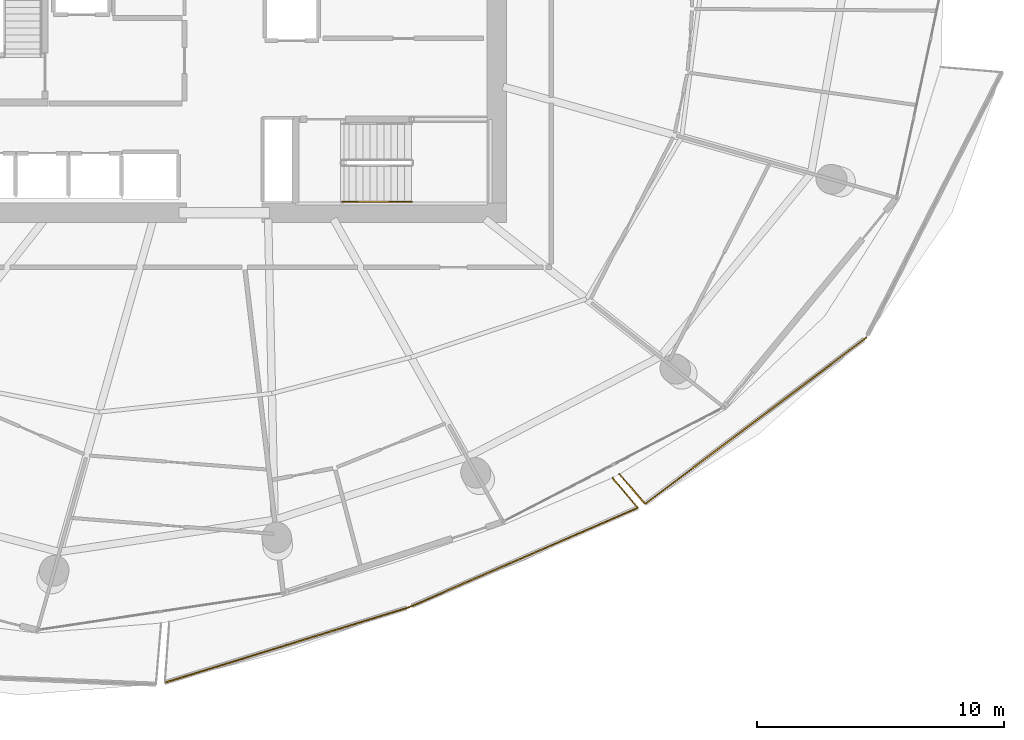
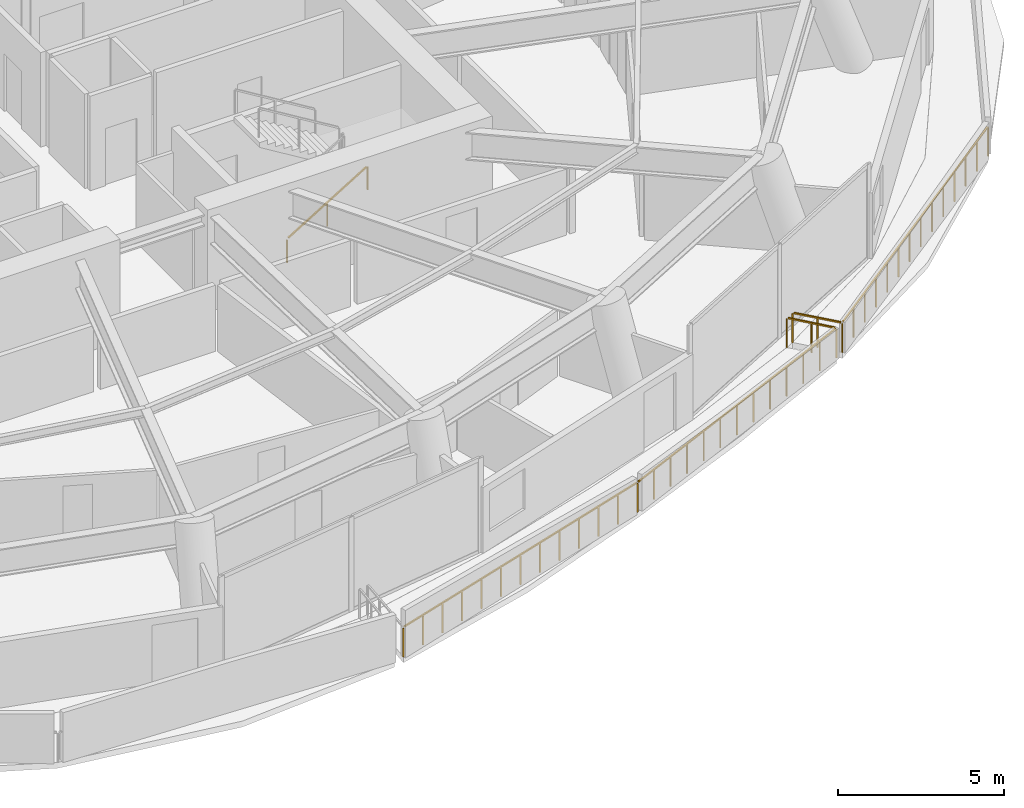
# One storey, part 19 of 23: 6 railings.
"""IFC4 building model written with IfcOpenShell, lengths in metres."""

from ifc_helpers import new_model, si_unit, direction, frame, origin, origin_2d, place, context, subcontext, project, spatial, rectangle, extrude, material, type_object, element, save


model = new_model("IFC4")

# Units and contexts
model_context = context("Model", 3, precision=1e-05, world=origin(), true_north=direction((0.0, 1.0)))
body_context = subcontext(model_context, "Body", "Model", "MODEL_VIEW")
ifc_project = project(units=[si_unit("LENGTHUNIT", "METRE"), si_unit("AREAUNIT", "SQUARE_METRE"), si_unit("VOLUMEUNIT", "CUBIC_METRE"), si_unit("PLANEANGLEUNIT", "RADIAN"), si_unit("MASSUNIT", "GRAM", prefix="KILO")], contexts=[model_context])

# Site, building, storey
site_placement = place(None, origin())
site = spatial("IfcSite", under=ifc_project, at=site_placement, CompositionType="ELEMENT")
building_placement = place(site_placement, origin())
building = spatial("IfcBuilding", under=site, at=building_placement, Name="Kazma Halo Residences", CompositionType="ELEMENT")
storey_placement = place(building_placement, frame((0.0, 0.0, 112.64990234375)))
storey = spatial("IfcBuildingStorey", under=building, at=storey_placement, Name="L28", CompositionType="ELEMENT", Elevation=112.64990234375)

# Railings
ifc_material_1 = material(Name="Aluminium AW-6063 T6 Brushed Cap Rail", Category="aluminium")
railing_type_1 = type_object("IfcRailingType", Name="RLG-BAL-CAP-1120", PredefinedType="BALUSTRADE", material=ifc_material_1)
railing_1_placement = place(storey_placement, frame((46.011474609375, 14.594482421875, 0.0)))
element("IfcRailing", 1, at=railing_1_placement, inside=storey, type_object=railing_type_1, Name="L28 SSE wave balcony guard 2", PredefinedType="BALUSTRADE", context=body_context, shape_type="SweptSolid", body=[
    extrude(rectangle(XDim=0.050048828125, YDim=0.050048828125, at=origin_2d()), frame((0.040771484375, 0.012451171875, 1.09521484375), z_axis=(0.955530555563, 0.294892111434, 0.0), x_axis=(-0.294892111434, 0.955530555563, 0.0)), (0.0, 0.0, 1.0), 10.276123046875),
    extrude(rectangle(XDim=0.0400390625, YDim=0.0400390625, at=origin_2d()), origin(), (0.0, 0.0, 1.0), 1.05810546875),
    extrude(rectangle(XDim=0.0400390625, YDim=0.0400390625, at=origin_2d()), frame((0.824951171875, 0.254638671875, 0.0)), (0.0, 0.0, 1.0), 1.05810546875),
    extrude(rectangle(XDim=0.0400390625, YDim=0.0400390625, at=origin_2d()), frame((1.650146484375, 0.50927734375, 0.0)), (0.0, 0.0, 1.0), 1.05810546875),
    extrude(rectangle(XDim=0.0400390625, YDim=0.0400390625, at=origin_2d()), frame((2.47509765625, 0.763916015625, 0.0)), (0.0, 0.0, 1.0), 1.05810546875),
    extrude(rectangle(XDim=0.0400390625, YDim=0.0400390625, at=origin_2d()), frame((3.300048828125, 1.0185546875, 0.0)), (0.0, 0.0, 1.0), 1.05810546875),
    extrude(rectangle(XDim=0.0400390625, YDim=0.0400390625, at=origin_2d()), frame((4.125244140625, 1.273193359375, 0.0)), (0.0, 0.0, 1.0), 1.05810546875),
    extrude(rectangle(XDim=0.0400390625, YDim=0.0400390625, at=origin_2d()), frame((4.9501953125, 1.52783203125, 0.0)), (0.0, 0.0, 1.0), 1.05810546875),
    extrude(rectangle(XDim=0.0400390625, YDim=0.0400390625, at=origin_2d()), frame((5.775146484375, 1.7822265625, 0.0)), (0.0, 0.0, 1.0), 1.05810546875),
    extrude(rectangle(XDim=0.0400390625, YDim=0.0400390625, at=origin_2d()), frame((6.600341796875, 2.036865234375, 0.0)), (0.0, 0.0, 1.0), 1.05810546875),
    extrude(rectangle(XDim=0.0400390625, YDim=0.0400390625, at=origin_2d()), frame((7.42529296875, 2.29150390625, 0.0)), (0.0, 0.0, 1.0), 1.05810546875),
    extrude(rectangle(XDim=0.0400390625, YDim=0.0400390625, at=origin_2d()), frame((8.250244140625, 2.546142578125, 0.0)), (0.0, 0.0, 1.0), 1.05810546875),
    extrude(rectangle(XDim=0.0400390625, YDim=0.0400390625, at=origin_2d()), frame((9.075439453125, 2.80078125, 0.0)), (0.0, 0.0, 1.0), 1.05810546875),
    extrude(rectangle(XDim=0.0400390625, YDim=0.0400390625, at=origin_2d()), frame((9.900390625, 3.055419921875, 0.0)), (0.0, 0.0, 1.0), 1.05810546875),
])
railing_2_placement = place(storey_placement, frame((55.911865234375, 17.64990234375, 0.0)))
element("IfcRailing", 2, at=railing_2_placement, inside=storey, type_object=railing_type_1, Name="L28 SSE wave balcony guard 3", PredefinedType="BALUSTRADE", context=body_context, shape_type="SweptSolid", body=[
    extrude(rectangle(XDim=0.050048828125, YDim=0.050048828125, at=origin_2d()), frame((0.0390625, 0.01708984375, 1.09521484375), z_axis=(0.916909326495, 0.399095586279, 0.0), x_axis=(-0.399095586279, 0.916909326495, 0.0)), (0.0, 0.0, 1.0), 9.989501953125),
    extrude(rectangle(XDim=0.0400390625, YDim=0.0400390625, at=origin_2d()), origin(), (0.0, 0.0, 1.0), 1.05810546875),
    extrude(rectangle(XDim=0.0400390625, YDim=0.0400390625, at=origin_2d()), frame((0.769775390625, 0.3349609375, 0.0)), (0.0, 0.0, 1.0), 1.05810546875),
    extrude(rectangle(XDim=0.0400390625, YDim=0.0400390625, at=origin_2d()), frame((1.53955078125, 0.670166015625, 0.0)), (0.0, 0.0, 1.0), 1.05810546875),
    extrude(rectangle(XDim=0.0400390625, YDim=0.0400390625, at=origin_2d()), frame((2.309326171875, 1.005126953125, 0.0)), (0.0, 0.0, 1.0), 1.05810546875),
    extrude(rectangle(XDim=0.0400390625, YDim=0.0400390625, at=origin_2d()), frame((3.0791015625, 1.34033203125, 0.0)), (0.0, 0.0, 1.0), 1.05810546875),
    extrude(rectangle(XDim=0.0400390625, YDim=0.0400390625, at=origin_2d()), frame((3.848876953125, 1.67529296875, 0.0)), (0.0, 0.0, 1.0), 1.05810546875),
    extrude(rectangle(XDim=0.0400390625, YDim=0.0400390625, at=origin_2d()), frame((4.61865234375, 2.01025390625, 0.0)), (0.0, 0.0, 1.0), 1.05810546875),
    extrude(rectangle(XDim=0.0400390625, YDim=0.0400390625, at=origin_2d()), frame((5.388671875, 2.345458984375, 0.0)), (0.0, 0.0, 1.0), 1.05810546875),
    extrude(rectangle(XDim=0.0400390625, YDim=0.0400390625, at=origin_2d()), frame((6.158447265625, 2.680419921875, 0.0)), (0.0, 0.0, 1.0), 1.05810546875),
    extrude(rectangle(XDim=0.0400390625, YDim=0.0400390625, at=origin_2d()), frame((6.92822265625, 3.015625, 0.0)), (0.0, 0.0, 1.0), 1.05810546875),
    extrude(rectangle(XDim=0.0400390625, YDim=0.0400390625, at=origin_2d()), frame((7.697998046875, 3.3505859375, 0.0)), (0.0, 0.0, 1.0), 1.05810546875),
    extrude(rectangle(XDim=0.0400390625, YDim=0.0400390625, at=origin_2d()), frame((8.4677734375, 3.685791015625, 0.0)), (0.0, 0.0, 1.0), 1.05810546875),
    extrude(rectangle(XDim=0.0400390625, YDim=0.0400390625, at=origin_2d()), frame((9.237548828125, 4.020751953125, 0.0)), (0.0, 0.0, 1.0), 1.05810546875),
])
railing_3_placement = place(storey_placement, frame((65.1494140625, 21.670654296875, 0.0)))
element("IfcRailing", 3, at=railing_3_placement, inside=storey, type_object=railing_type_1, Name="L28 SSE wave balcony guard 4", PredefinedType="BALUSTRADE", context=body_context, shape_type="SweptSolid", body=[
    extrude(rectangle(XDim=0.050048828125, YDim=0.050048828125, at=origin_2d()), frame((-0.02734375, 0.032470703125, 1.09521484375), z_axis=(-0.644823146011, 0.764331806461, 0.0), x_axis=(-0.764331806461, -0.644823146011, 0.0)), (0.0, 0.0, 1.0), 1.500244140625),
    extrude(rectangle(XDim=0.0400390625, YDim=0.0400390625, at=origin_2d()), origin(), (0.0, 0.0, 1.0), 1.05810546875),
    extrude(rectangle(XDim=0.0400390625, YDim=0.0400390625, at=origin_2d()), frame((-0.51123046875, 0.60595703125, 0.0)), (0.0, 0.0, 1.0), 1.05810546875),
    extrude(rectangle(XDim=0.0400390625, YDim=0.0400390625, at=origin_2d()), frame((-1.022216796875, 1.211669921875, 0.0)), (0.0, 0.0, 1.0), 1.05810546875),
])
railing_4_placement = place(storey_placement, frame((64.40576171875, 23.027099609375, 0.0)))
element("IfcRailing", 4, at=railing_4_placement, inside=storey, type_object=railing_type_1, Name="L28 SE wave balcony guard 1", PredefinedType="BALUSTRADE", context=body_context, shape_type="SweptSolid", body=[
    extrude(rectangle(XDim=0.050048828125, YDim=0.050048828125, at=origin_2d()), frame((0.02783203125, -0.0322265625, 1.09521484375), z_axis=(0.654199420265, -0.75632209972, 0.0), x_axis=(0.75632209972, 0.654199420265, 0.0)), (0.0, 0.0, 1.0), 1.504638671875),
    extrude(rectangle(XDim=0.0400390625, YDim=0.0400390625, at=origin_2d()), origin(), (0.0, 0.0, 1.0), 1.05810546875),
    extrude(rectangle(XDim=0.0400390625, YDim=0.0400390625, at=origin_2d()), frame((0.52001953125, -0.60107421875, 0.0)), (0.0, 0.0, 1.0), 1.05810546875),
    extrude(rectangle(XDim=0.0400390625, YDim=0.0400390625, at=origin_2d()), frame((1.0400390625, -1.202392578125, 0.0)), (0.0, 0.0, 1.0), 1.05810546875),
])
railing_5_placement = place(storey_placement, frame((65.44580078125, 21.82470703125, 0.0)))
element("IfcRailing", 5, at=railing_5_placement, inside=storey, type_object=railing_type_1, Name="L28 SE wave balcony guard 2", PredefinedType="BALUSTRADE", context=body_context, shape_type="SweptSolid", body=[
    extrude(rectangle(XDim=0.050048828125, YDim=0.050048828125, at=origin_2d()), frame((0.033935546875, 0.025634765625, 1.09521484375), z_axis=(0.79938198296, 0.6008231398, 0.0), x_axis=(-0.6008231398, 0.79938198296, 0.0)), (0.0, 0.0, 1.0), 11.110107421875),
    extrude(rectangle(XDim=0.0400390625, YDim=0.0400390625, at=origin_2d()), origin(), (0.0, 0.0, 1.0), 1.05810546875),
    extrude(rectangle(XDim=0.0400390625, YDim=0.0400390625, at=origin_2d()), frame((0.6884765625, 0.517333984375, 0.0)), (0.0, 0.0, 1.0), 1.05810546875),
    extrude(rectangle(XDim=0.0400390625, YDim=0.0400390625, at=origin_2d()), frame((1.376708984375, 1.034912109375, 0.0)), (0.0, 0.0, 1.0), 1.05810546875),
    extrude(rectangle(XDim=0.0400390625, YDim=0.0400390625, at=origin_2d()), frame((2.065185546875, 1.55224609375, 0.0)), (0.0, 0.0, 1.0), 1.05810546875),
    extrude(rectangle(XDim=0.0400390625, YDim=0.0400390625, at=origin_2d()), frame((2.753662109375, 2.069580078125, 0.0)), (0.0, 0.0, 1.0), 1.05810546875),
    extrude(rectangle(XDim=0.0400390625, YDim=0.0400390625, at=origin_2d()), frame((3.44189453125, 2.587158203125, 0.0)), (0.0, 0.0, 1.0), 1.05810546875),
    extrude(rectangle(XDim=0.0400390625, YDim=0.0400390625, at=origin_2d()), frame((4.13037109375, 3.1044921875, 0.0)), (0.0, 0.0, 1.0), 1.05810546875),
    extrude(rectangle(XDim=0.0400390625, YDim=0.0400390625, at=origin_2d()), frame((4.81884765625, 3.621826171875, 0.0)), (0.0, 0.0, 1.0), 1.05810546875),
    extrude(rectangle(XDim=0.0400390625, YDim=0.0400390625, at=origin_2d()), frame((5.50732421875, 4.13916015625, 0.0)), (0.0, 0.0, 1.0), 1.05810546875),
    extrude(rectangle(XDim=0.0400390625, YDim=0.0400390625, at=origin_2d()), frame((6.195556640625, 4.65673828125, 0.0)), (0.0, 0.0, 1.0), 1.05810546875),
    extrude(rectangle(XDim=0.0400390625, YDim=0.0400390625, at=origin_2d()), frame((6.884033203125, 5.174072265625, 0.0)), (0.0, 0.0, 1.0), 1.05810546875),
    extrude(rectangle(XDim=0.0400390625, YDim=0.0400390625, at=origin_2d()), frame((7.572509765625, 5.69140625, 0.0)), (0.0, 0.0, 1.0), 1.05810546875),
    extrude(rectangle(XDim=0.0400390625, YDim=0.0400390625, at=origin_2d()), frame((8.2607421875, 6.208984375, 0.0)), (0.0, 0.0, 1.0), 1.05810546875),
    extrude(rectangle(XDim=0.0400390625, YDim=0.0400390625, at=origin_2d()), frame((8.94921875, 6.726318359375, 0.0)), (0.0, 0.0, 1.0), 1.05810546875),
])
ifc_material_2 = material(Name="Brushed Stainless Steel", Category="steel")
railing_type_2 = type_object("IfcRailingType", Name="RLG-STAIR-HND-900", PredefinedType="HANDRAIL", material=ifc_material_2)
railing_6_placement = place(storey_placement, frame((53.199951171875, 34.050048828125, 0.170654296875)))
element("IfcRailing", 6, at=railing_6_placement, inside=storey, type_object=railing_type_2, Name="L28 ST-03 stair handrail 1", PredefinedType="HANDRAIL", context=body_context, shape_type="SweptSolid", body=[
    extrude(rectangle(XDim=0.050048828125, YDim=0.050048828125, at=origin_2d()), frame((0.036376953125, 0.0, 0.89697265625), z_axis=(0.854202870247, 0.0, 0.519939858505), x_axis=(0.0, 1.0, 0.0)), (0.0, 0.0, 1.0), 3.19287109375),
    extrude(rectangle(XDim=0.0400390625, YDim=0.0400390625, at=origin_2d()), origin(), (0.0, 0.0, 1.0), 0.837890625),
    extrude(rectangle(XDim=0.0400390625, YDim=0.0400390625, at=origin_2d()), frame((1.39990234375, 0.0, 0.85205078125)), (0.0, 0.0, 1.0), 0.837890625),
    extrude(rectangle(XDim=0.0400390625, YDim=0.0400390625, at=origin_2d()), frame((2.800048828125, 0.0, 1.704345703125)), (0.0, 0.0, 1.0), 0.837890625),
])

save(model, "model.ifc")
